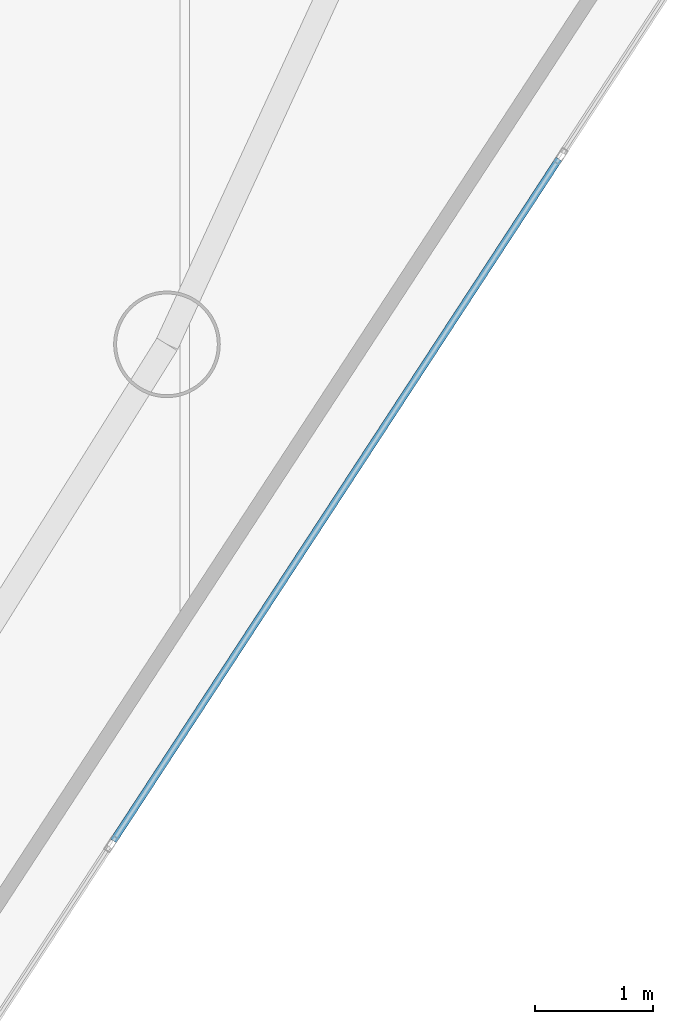
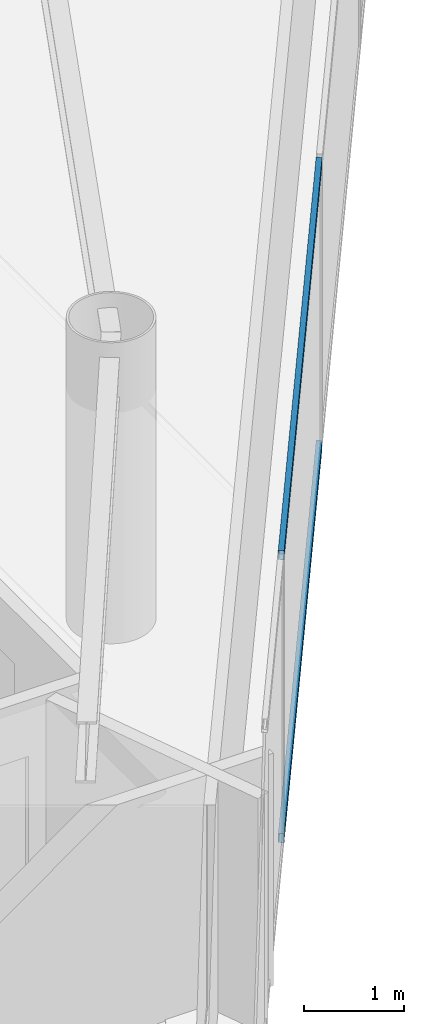
# One storey, part 7 of 25: 2 members, 1 element without a shape of its own.
"""IFC4 building model written with IfcOpenShell, lengths in metres."""

from ifc_helpers import new_model, si_unit, direction, frame, origin, origin_2d, place, context, subcontext, project, spatial, hollow_rectangle, extrude, material, layer, layer_set, material_profile, profile_set, type_object, element, aggregate, save


model = new_model("IFC4")

# Units and contexts
model_context = context("Model", 3, precision=1e-05, world=origin(), true_north=direction((0.0, 1.0)))
body_context = subcontext(model_context, "Body", "Model", "MODEL_VIEW")
ifc_project = project(units=[si_unit("LENGTHUNIT", "METRE"), si_unit("AREAUNIT", "SQUARE_METRE"), si_unit("VOLUMEUNIT", "CUBIC_METRE"), si_unit("PLANEANGLEUNIT", "RADIAN"), si_unit("MASSUNIT", "GRAM", prefix="KILO")], contexts=[model_context])

# Site, building, storey
site_placement = place(None, origin())
site = spatial("IfcSite", under=ifc_project, at=site_placement, CompositionType="ELEMENT")
building_placement = place(site_placement, origin())
building = spatial("IfcBuilding", under=site, at=building_placement, Name="Qianvela Tower", CompositionType="ELEMENT")
storey_placement = place(building_placement, frame((0.0, 0.0, 288.0)))
storey = spatial("IfcBuildingStorey", under=building, at=storey_placement, Name="L74", CompositionType="ELEMENT", Elevation=288.0)

# Curtain wall, members
ifc_material_1 = material(Name="Anodised Architectural Aluminium and Low-E Glass", Category="aluminium")
ifc_layer = layer(ifc_material_1, 0.14990234375)
ifc_layer_set = layer_set([ifc_layer], Name="Anodised Architectural Aluminium and Low-E Glass")
curtain_wall_type = type_object("IfcCurtainWallType", Name="CW-COLIV-Z78", PredefinedType="USERDEFINED", material=ifc_layer_set)
curtain_wall_placement = place(storey_placement, origin())
curtain_wall = element("IfcCurtainWall", 1, at=curtain_wall_placement, inside=storey, type_object=curtain_wall_type, Name="L74 CW-COLIV-Z78 Curtain Wall 06C", ObjectType="CURTAIN_WALL_SYSTEM", PredefinedType="USERDEFINED")
ifc_material_2 = material(Name="Anodised Architectural Aluminium 6063-T6", Category="aluminium")
ifc_material_profile = material_profile(ifc_material_2, hollow_rectangle(XDim=0.06005859375, YDim=0.114990234375, WallThickness=0.00390625, at=origin_2d()), Name="ALU-TRAN-60x115")
ifc_profile_set = profile_set([ifc_material_profile], Name="Anodised Architectural Aluminium 6063-T6")
member_type = type_object("IfcMemberType", Name="CW-COLIV-Z78-TRAN", PredefinedType="USERDEFINED", material=ifc_profile_set)
member_1_placement = place(storey_placement, frame((45.380859375, 18.153564453125, 0.030029296875), z_axis=(0.547097232796, 0.837069063977, 0.0), x_axis=(-0.837069063977, 0.547097232796, 0.0)))
member_1 = element("IfcMember", 2, at=member_1_placement, type_object=member_type, Name="CW-6 transom 2.1", ObjectType="TRANSOM", PredefinedType="USERDEFINED", context=body_context, shape_type="SweptSolid", body=[
    extrude(hollow_rectangle(XDim=0.06005859375, YDim=0.114990234375, WallThickness=0.00390625, at=origin_2d()), origin(), (0.0, 0.0, 1.0), 6.875244140625),
])
member_2_placement = place(storey_placement, frame((45.380859375, 18.153564453125, 3.489990234375), z_axis=(0.547097232796, 0.837069063977, 0.0), x_axis=(-0.837069063977, 0.547097232796, 0.0)))
member_2 = element("IfcMember", 3, at=member_2_placement, type_object=member_type, Name="CW-6 transom 2.2", ObjectType="TRANSOM", PredefinedType="USERDEFINED", context=body_context, shape_type="SweptSolid", body=[
    extrude(hollow_rectangle(XDim=0.06005859375, YDim=0.114990234375, WallThickness=0.00390625, at=origin_2d()), origin(), (0.0, 0.0, 1.0), 6.875244140625),
])
aggregate(curtain_wall, [member_1, member_2])

save(model, "model.ifc")
